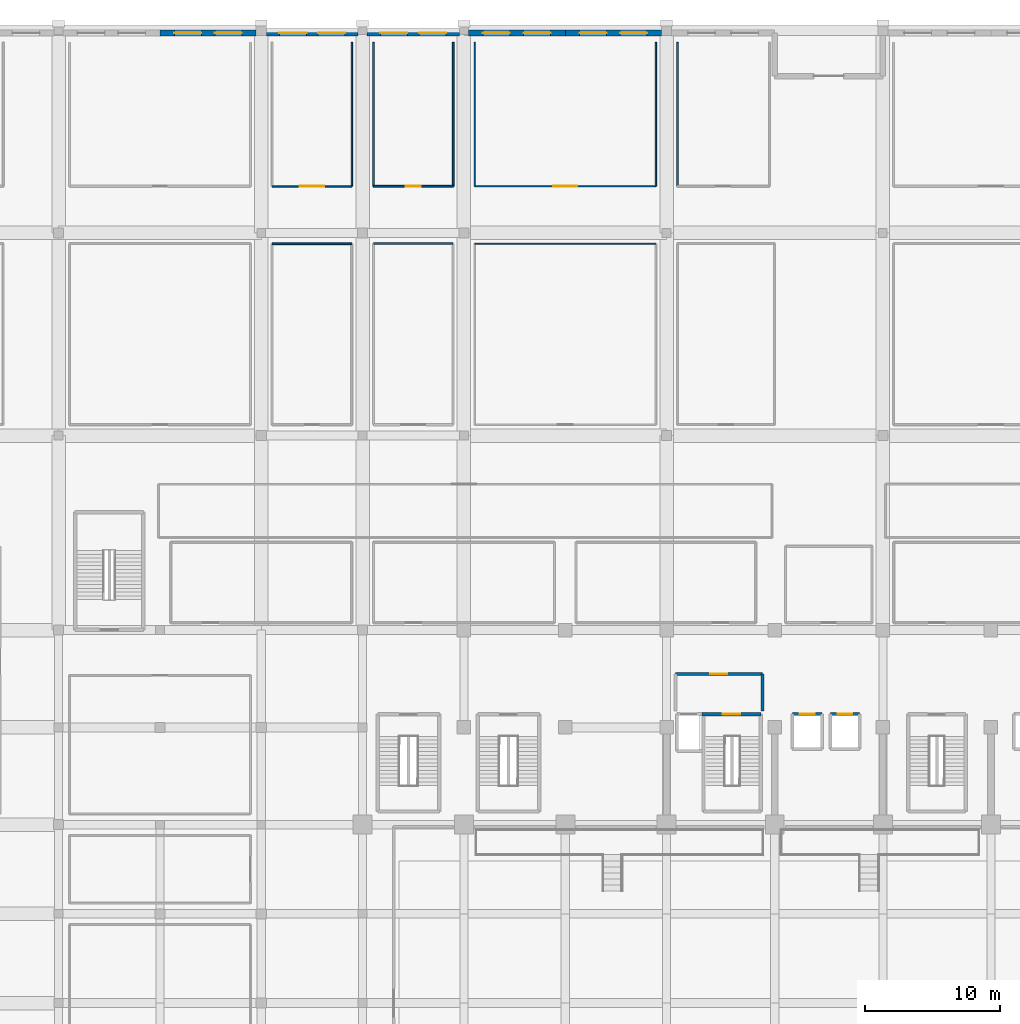
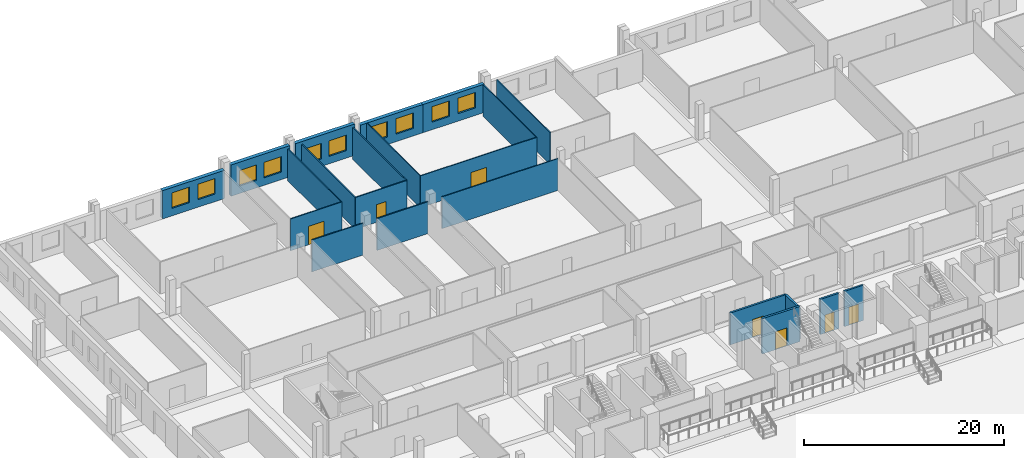
# One storey, part 18 of 33: 22 walls, 10 windows, 7 doors, 17 openings.
"""IFC4 building model written with IfcOpenShell, lengths in metres."""

from ifc_helpers import new_model, si_unit, direction, frame, frame_2d, origin, place, context, subcontext, project, spatial, rectangle, extrude, material, layer, layer_set, type_object, element, fill, save


model = new_model("IFC4")

# Units and contexts
model_context = context("Model", 3, precision=1e-05, world=origin(), true_north=direction((0.0, 1.0)))
body_context = subcontext(model_context, "Body", "Model", "MODEL_VIEW")
ifc_project = project(units=[si_unit("LENGTHUNIT", "METRE"), si_unit("AREAUNIT", "SQUARE_METRE"), si_unit("VOLUMEUNIT", "CUBIC_METRE"), si_unit("PLANEANGLEUNIT", "RADIAN"), si_unit("MASSUNIT", "GRAM", prefix="KILO")], contexts=[model_context])

# Site, building, storey
site_placement = place(None, origin())
site = spatial("IfcSite", under=ifc_project, at=site_placement, CompositionType="ELEMENT")
building_placement = place(site_placement, origin())
building = spatial("IfcBuilding", under=site, at=building_placement, Name="Akrevak Sports Hall", CompositionType="ELEMENT")
storey_placement = place(building_placement, origin())
storey = spatial("IfcBuildingStorey", under=building, at=storey_placement, Name="L00", CompositionType="ELEMENT", Elevation=0.0)

# Wall, openings, windows
ifc_material_1 = material(Name="Limestone Ashlar", Category="stone")
ifc_layer_1 = layer(ifc_material_1, 0.090087890625, Name="Limestone Ashlar")
ifc_material_2 = material(Name="Mineral Wool Thermal Insulation", Category="insulation")
ifc_layer_2 = layer(ifc_material_2, 0.110107421875, Name="Mineral Wool Thermal Insulation")
ifc_material_3 = material(Name="Concrete C40/50", Category="concrete")
ifc_layer_3 = layer(ifc_material_3, 0.219970703125, Name="Concrete C40/50")
ifc_layer_set_1 = layer_set([ifc_layer_1, ifc_layer_2, ifc_layer_3], Name="Limestone Ashlar / Mineral Wool Thermal Insulation / Concrete C40/50")
wall_type_1 = type_object("IfcWallType", Name="ARC-WL-EXT-420", PredefinedType="SOLIDWALL", material=ifc_layer_set_1)
wall_1_placement = place(storey_placement, frame((29.625, 113.7900390625, 0.0), z_axis=(0.0, 0.0, 1.0), x_axis=(-1.0, 0.0, 0.0)))
wall_1 = element("IfcWall", 1, at=wall_1_placement, inside=storey, type_object=wall_type_1, Name="North Concourse Stone Wall L00-N04", PredefinedType="SOLIDWALL", context=body_context, shape_type="SweptSolid", body=[
    extrude(rectangle(XDim=7.125, YDim=0.419921875, at=frame_2d((3.5625, 0.0))), origin(), (0.0, 0.0, 1.0), 3.449951171875),
])
opening_1_placement = place(wall_1_placement, frame((4.05859375, 0.0, 0.919921875)))
opening_1 = element("IfcOpeningElement", 2, at=opening_1_placement, cuts=wall_1, Name="Opening WN-28", PredefinedType="OPENING", context=body_context, shape_type="SweptSolid", body=[
    extrude(rectangle(XDim=2.0, YDim=1.889892578125, at=frame_2d((1.0, 0.94482421875))), frame((0.0, 0.221923828125, 0.0), z_axis=(0.0, -1.0, 0.0), x_axis=(1.0, 0.0, 0.0)), (0.0, 0.0, 1.0), 0.44384765625),
])
opening_2_placement = place(wall_1_placement, frame((1.06640625, 0.0, 0.919921875)))
opening_2 = element("IfcOpeningElement", 3, at=opening_2_placement, cuts=wall_1, Name="Opening WN-28", PredefinedType="OPENING", context=body_context, shape_type="SweptSolid", body=[
    extrude(rectangle(XDim=2.0, YDim=1.889892578125, at=frame_2d((1.0, 0.94482421875))), frame((0.0, 0.221923828125, 0.0), z_axis=(0.0, -1.0, 0.0), x_axis=(1.0, 0.0, 0.0)), (0.0, 0.0, 1.0), 0.44384765625),
])
ifc_material_4 = material(Name="Thermally Broken Bronze Frame & Double Low-E Glass", Category="glass")
window_type = type_object("IfcWindowType", Name="ARC-WIN-SZ-2000x1890", PartitioningType="SINGLE_PANEL", PredefinedType="WINDOW", material=ifc_material_4)
window_1_placement = place(opening_1_placement, origin())
window_1 = element("IfcWindow", 4, at=window_1_placement, inside=storey, type_object=window_type, Name="Beaux-Arts Facade Window WIN-L00-N04-1", OverallHeight=1.889892578125, OverallWidth=2.0, PartitioningType="SINGLE_PANEL", PredefinedType="WINDOW", context=body_context, shape_type="SweptSolid", body=[
    extrude(rectangle(XDim=2.0, YDim=1.889892578125, at=frame_2d((1.0, 0.94482421875))), frame((0.0, 0.030029296875, 0.0), z_axis=(0.0, -1.0, 0.0), x_axis=(1.0, 0.0, 0.0)), (0.0, 0.0, 1.0), 0.06005859375),
])
fill(opening_1, window_1)
window_2_placement = place(opening_2_placement, origin())
window_2 = element("IfcWindow", 5, at=window_2_placement, inside=storey, type_object=window_type, Name="Beaux-Arts Facade Window WIN-L00-N04-2", OverallHeight=1.889892578125, OverallWidth=2.0, PartitioningType="SINGLE_PANEL", PredefinedType="WINDOW", context=body_context, shape_type="SweptSolid", body=[
    extrude(rectangle(XDim=2.0, YDim=1.889892578125, at=frame_2d((1.0, 0.94482421875))), frame((0.0, 0.030029296875, 0.0), z_axis=(0.0, -1.0, 0.0), x_axis=(1.0, 0.0, 0.0)), (0.0, 0.0, 1.0), 0.06005859375),
])
fill(opening_2, window_2)

wall_2_placement = place(storey_placement, frame((37.175048828125, 113.7900390625, 0.0), z_axis=(0.0, 0.0, 1.0), x_axis=(-1.0, 0.0, 0.0)))
wall_2 = element("IfcWall", 6, at=wall_2_placement, inside=storey, type_object=wall_type_1, Name="North Concourse Stone Wall L00-N05", PredefinedType="SOLIDWALL", context=body_context, shape_type="SweptSolid", body=[
    extrude(rectangle(XDim=6.800048828125, YDim=0.419921875, at=frame_2d((3.39990234375, 0.0))), origin(), (0.0, 0.0, 1.0), 3.820068359375),
])
opening_3_placement = place(wall_2_placement, frame((3.827880859375, 0.0, 0.919921875)))
opening_3 = element("IfcOpeningElement", 7, at=opening_3_placement, cuts=wall_2, Name="Opening WN-28", PredefinedType="OPENING", context=body_context, shape_type="SweptSolid", body=[
    extrude(rectangle(XDim=2.0, YDim=1.889892578125, at=frame_2d((1.0, 0.94482421875))), frame((0.0, 0.221923828125, 0.0), z_axis=(0.0, -1.0, 0.0), x_axis=(1.0, 0.0, 0.0)), (0.0, 0.0, 1.0), 0.44384765625),
])
opening_4_placement = place(wall_2_placement, frame((0.971923828125, 0.0, 0.919921875)))
opening_4 = element("IfcOpeningElement", 8, at=opening_4_placement, cuts=wall_2, Name="Opening WN-28", PredefinedType="OPENING", context=body_context, shape_type="SweptSolid", body=[
    extrude(rectangle(XDim=2.0, YDim=1.889892578125, at=frame_2d((1.0, 0.94482421875))), frame((0.0, 0.221923828125, 0.0), z_axis=(0.0, -1.0, 0.0), x_axis=(1.0, 0.0, 0.0)), (0.0, 0.0, 1.0), 0.44384765625),
])
window_3_placement = place(opening_3_placement, origin())
window_3 = element("IfcWindow", 9, at=window_3_placement, inside=storey, type_object=window_type, Name="Beaux-Arts Facade Window WIN-L00-N05-1", OverallHeight=1.889892578125, OverallWidth=2.0, PartitioningType="SINGLE_PANEL", PredefinedType="WINDOW", context=body_context, shape_type="SweptSolid", body=[
    extrude(rectangle(XDim=2.0, YDim=1.889892578125, at=frame_2d((1.0, 0.94482421875))), frame((0.0, 0.030029296875, 0.0), z_axis=(0.0, -1.0, 0.0), x_axis=(1.0, 0.0, 0.0)), (0.0, 0.0, 1.0), 0.06005859375),
])
fill(opening_3, window_3)
window_4_placement = place(opening_4_placement, origin())
window_4 = element("IfcWindow", 10, at=window_4_placement, inside=storey, type_object=window_type, Name="Beaux-Arts Facade Window WIN-L00-N05-2", OverallHeight=1.889892578125, OverallWidth=2.0, PartitioningType="SINGLE_PANEL", PredefinedType="WINDOW", context=body_context, shape_type="SweptSolid", body=[
    extrude(rectangle(XDim=2.0, YDim=1.889892578125, at=frame_2d((1.0, 0.94482421875))), frame((0.0, 0.030029296875, 0.0), z_axis=(0.0, -1.0, 0.0), x_axis=(1.0, 0.0, 0.0)), (0.0, 0.0, 1.0), 0.06005859375),
])
fill(opening_4, window_4)

wall_3_placement = place(storey_placement, frame((44.675048828125, 113.7900390625, 0.0), z_axis=(0.0, 0.0, 1.0), x_axis=(-1.0, 0.0, 0.0)))
wall_3 = element("IfcWall", 11, at=wall_3_placement, inside=storey, type_object=wall_type_1, Name="North Concourse Stone Wall L00-N06", PredefinedType="SOLIDWALL", context=body_context, shape_type="SweptSolid", body=[
    extrude(rectangle(XDim=6.85009765625, YDim=0.419921875, at=frame_2d((3.425048828125, 0.0))), origin(), (0.0, 0.0, 1.0), 3.820068359375),
])
opening_5_placement = place(wall_3_placement, frame((3.863525390625, 0.0, 0.919921875)))
opening_5 = element("IfcOpeningElement", 12, at=opening_5_placement, cuts=wall_3, Name="Opening WN-28", PredefinedType="OPENING", context=body_context, shape_type="SweptSolid", body=[
    extrude(rectangle(XDim=2.0, YDim=1.889892578125, at=frame_2d((1.0, 0.94482421875))), frame((0.0, 0.221923828125, 0.0), z_axis=(0.0, -1.0, 0.0), x_axis=(1.0, 0.0, 0.0)), (0.0, 0.0, 1.0), 0.44384765625),
])
opening_6_placement = place(wall_3_placement, frame((0.986572265625, 0.0, 0.919921875)))
opening_6 = element("IfcOpeningElement", 13, at=opening_6_placement, cuts=wall_3, Name="Opening WN-28", PredefinedType="OPENING", context=body_context, shape_type="SweptSolid", body=[
    extrude(rectangle(XDim=2.0, YDim=1.889892578125, at=frame_2d((1.0, 0.94482421875))), frame((0.0, 0.221923828125, 0.0), z_axis=(0.0, -1.0, 0.0), x_axis=(1.0, 0.0, 0.0)), (0.0, 0.0, 1.0), 0.44384765625),
])
window_5_placement = place(opening_5_placement, origin())
window_5 = element("IfcWindow", 14, at=window_5_placement, inside=storey, type_object=window_type, Name="Beaux-Arts Facade Window WIN-L00-N06-1", OverallHeight=1.889892578125, OverallWidth=2.0, PartitioningType="SINGLE_PANEL", PredefinedType="WINDOW", context=body_context, shape_type="SweptSolid", body=[
    extrude(rectangle(XDim=2.0, YDim=1.889892578125, at=frame_2d((1.0, 0.94482421875))), frame((0.0, 0.030029296875, 0.0), z_axis=(0.0, -1.0, 0.0), x_axis=(1.0, 0.0, 0.0)), (0.0, 0.0, 1.0), 0.06005859375),
])
fill(opening_5, window_5)
window_6_placement = place(opening_6_placement, origin())
window_6 = element("IfcWindow", 15, at=window_6_placement, inside=storey, type_object=window_type, Name="Beaux-Arts Facade Window WIN-L00-N06-2", OverallHeight=1.889892578125, OverallWidth=2.0, PartitioningType="SINGLE_PANEL", PredefinedType="WINDOW", context=body_context, shape_type="SweptSolid", body=[
    extrude(rectangle(XDim=2.0, YDim=1.889892578125, at=frame_2d((1.0, 0.94482421875))), frame((0.0, 0.030029296875, 0.0), z_axis=(0.0, -1.0, 0.0), x_axis=(1.0, 0.0, 0.0)), (0.0, 0.0, 1.0), 0.06005859375),
])
fill(opening_6, window_6)

wall_4_placement = place(storey_placement, frame((52.5, 113.7900390625, 0.0), z_axis=(0.0, 0.0, 1.0), x_axis=(-1.0, 0.0, 0.0)))
wall_4 = element("IfcWall", 16, at=wall_4_placement, inside=storey, type_object=wall_type_1, Name="North Concourse Stone Wall L00-N07", PredefinedType="SOLIDWALL", context=body_context, shape_type="SweptSolid", body=[
    extrude(rectangle(XDim=7.175048828125, YDim=0.419921875, at=frame_2d((3.58740234375, 0.0))), origin(), (0.0, 0.0, 1.0), 3.449951171875),
])
opening_7_placement = place(wall_4_placement, frame((4.09423828125, 0.0, 0.919921875)))
opening_7 = element("IfcOpeningElement", 17, at=opening_7_placement, cuts=wall_4, Name="Opening WN-28", PredefinedType="OPENING", context=body_context, shape_type="SweptSolid", body=[
    extrude(rectangle(XDim=2.0, YDim=1.889892578125, at=frame_2d((1.0, 0.94482421875))), frame((0.0, 0.221923828125, 0.0), z_axis=(0.0, -1.0, 0.0), x_axis=(1.0, 0.0, 0.0)), (0.0, 0.0, 1.0), 0.44384765625),
])
opening_8_placement = place(wall_4_placement, frame((1.080810546875, 0.0, 0.919921875)))
opening_8 = element("IfcOpeningElement", 18, at=opening_8_placement, cuts=wall_4, Name="Opening WN-28", PredefinedType="OPENING", context=body_context, shape_type="SweptSolid", body=[
    extrude(rectangle(XDim=2.0, YDim=1.889892578125, at=frame_2d((1.0, 0.94482421875))), frame((0.0, 0.221923828125, 0.0), z_axis=(0.0, -1.0, 0.0), x_axis=(1.0, 0.0, 0.0)), (0.0, 0.0, 1.0), 0.44384765625),
])
window_7_placement = place(opening_7_placement, origin())
window_7 = element("IfcWindow", 19, at=window_7_placement, inside=storey, type_object=window_type, Name="Beaux-Arts Facade Window WIN-L00-N07-1", OverallHeight=1.889892578125, OverallWidth=2.0, PartitioningType="SINGLE_PANEL", PredefinedType="WINDOW", context=body_context, shape_type="SweptSolid", body=[
    extrude(rectangle(XDim=2.0, YDim=1.889892578125, at=frame_2d((1.0, 0.94482421875))), frame((0.0, 0.030029296875, 0.0), z_axis=(0.0, -1.0, 0.0), x_axis=(1.0, 0.0, 0.0)), (0.0, 0.0, 1.0), 0.06005859375),
])
fill(opening_7, window_7)
window_8_placement = place(opening_8_placement, origin())
window_8 = element("IfcWindow", 20, at=window_8_placement, inside=storey, type_object=window_type, Name="Beaux-Arts Facade Window WIN-L00-N07-2", OverallHeight=1.889892578125, OverallWidth=2.0, PartitioningType="SINGLE_PANEL", PredefinedType="WINDOW", context=body_context, shape_type="SweptSolid", body=[
    extrude(rectangle(XDim=2.0, YDim=1.889892578125, at=frame_2d((1.0, 0.94482421875))), frame((0.0, 0.030029296875, 0.0), z_axis=(0.0, -1.0, 0.0), x_axis=(1.0, 0.0, 0.0)), (0.0, 0.0, 1.0), 0.06005859375),
])
fill(opening_8, window_8)

wall_5_placement = place(storey_placement, frame((59.625, 113.7900390625, 0.0), z_axis=(0.0, 0.0, 1.0), x_axis=(-1.0, 0.0, 0.0)))
wall_5 = element("IfcWall", 21, at=wall_5_placement, inside=storey, type_object=wall_type_1, Name="North Concourse Stone Wall L00-N08", PredefinedType="SOLIDWALL", context=body_context, shape_type="SweptSolid", body=[
    extrude(rectangle(XDim=7.125, YDim=0.419921875, at=frame_2d((3.5625, 0.0))), origin(), (0.0, 0.0, 1.0), 3.449951171875),
])
opening_9_placement = place(wall_5_placement, frame((4.058837890625, 0.0, 0.919921875)))
opening_9 = element("IfcOpeningElement", 22, at=opening_9_placement, cuts=wall_5, Name="Opening WN-28", PredefinedType="OPENING", context=body_context, shape_type="SweptSolid", body=[
    extrude(rectangle(XDim=2.0, YDim=1.889892578125, at=frame_2d((1.0, 0.94482421875))), frame((0.0, 0.221923828125, 0.0), z_axis=(0.0, -1.0, 0.0), x_axis=(1.0, 0.0, 0.0)), (0.0, 0.0, 1.0), 0.44384765625),
])
opening_10_placement = place(wall_5_placement, frame((1.066162109375, 0.0, 0.919921875)))
opening_10 = element("IfcOpeningElement", 23, at=opening_10_placement, cuts=wall_5, Name="Opening WN-28", PredefinedType="OPENING", context=body_context, shape_type="SweptSolid", body=[
    extrude(rectangle(XDim=2.0, YDim=1.889892578125, at=frame_2d((1.0, 0.94482421875))), frame((0.0, 0.221923828125, 0.0), z_axis=(0.0, -1.0, 0.0), x_axis=(1.0, 0.0, 0.0)), (0.0, 0.0, 1.0), 0.44384765625),
])
window_9_placement = place(opening_9_placement, origin())
window_9 = element("IfcWindow", 24, at=window_9_placement, inside=storey, type_object=window_type, Name="Beaux-Arts Facade Window WIN-L00-N08-1", OverallHeight=1.889892578125, OverallWidth=2.0, PartitioningType="SINGLE_PANEL", PredefinedType="WINDOW", context=body_context, shape_type="SweptSolid", body=[
    extrude(rectangle(XDim=2.0, YDim=1.889892578125, at=frame_2d((1.0, 0.94482421875))), frame((0.0, 0.030029296875, 0.0), z_axis=(0.0, -1.0, 0.0), x_axis=(1.0, 0.0, 0.0)), (0.0, 0.0, 1.0), 0.06005859375),
])
fill(opening_9, window_9)
window_10_placement = place(opening_10_placement, origin())
window_10 = element("IfcWindow", 25, at=window_10_placement, inside=storey, type_object=window_type, Name="Beaux-Arts Facade Window WIN-L00-N08-2", OverallHeight=1.889892578125, OverallWidth=2.0, PartitioningType="SINGLE_PANEL", PredefinedType="WINDOW", context=body_context, shape_type="SweptSolid", body=[
    extrude(rectangle(XDim=2.0, YDim=1.889892578125, at=frame_2d((1.0, 0.94482421875))), frame((0.0, 0.030029296875, 0.0), z_axis=(0.0, -1.0, 0.0), x_axis=(1.0, 0.0, 0.0)), (0.0, 0.0, 1.0), 0.06005859375),
])
fill(opening_10, window_10)

# Wall
ifc_material_5 = material(Name="Sanitary Cubicle Partition", Category="gypsum")
ifc_layer_4 = layer(ifc_material_5, 0.10009765625, Name="Sanitary Cubicle Partition")
ifc_layer_set_2 = layer_set([ifc_layer_4], Name="Sanitary Cubicle Partition")
wall_type_2 = type_object("IfcWallType", Name="ARC-WL-PRT-100", PredefinedType="PARTITIONING", material=ifc_layer_set_2)
wall_6_placement = place(storey_placement, frame((45.800048828125, 98.199951171875, 0.0), z_axis=(0.0, 0.0, 1.0), x_axis=(1.0, 0.0, 0.0)))
element("IfcWall", 26, at=wall_6_placement, inside=storey, type_object=wall_type_2, Name="Interior Partition Sports Federation Training Office L00-5 (N)", PredefinedType="PARTITIONING", context=body_context, shape_type="SweptSolid", body=[
    extrude(rectangle(XDim=13.39990234375, YDim=0.10009765625, at=frame_2d((6.699951171875, 0.0))), origin(), (0.0, 0.0, 1.0), 3.8798828125),
])

# Wall, opening, door
wall_7_placement = place(storey_placement, frame((45.800048828125, 102.449951171875, 0.0), z_axis=(0.0, 0.0, 1.0), x_axis=(1.0, 0.0, 0.0)))
wall_7 = element("IfcWall", 27, at=wall_7_placement, inside=storey, type_object=wall_type_2, Name="Interior Partition Competition Equipment Storage L00-5 (S)", PredefinedType="PARTITIONING", context=body_context, shape_type="SweptSolid", body=[
    extrude(rectangle(XDim=13.39990234375, YDim=0.10009765625, at=frame_2d((6.699951171875, 0.0))), origin(), (0.0, 0.0, 1.0), 3.8798828125),
])
opening_11_placement = place(wall_7_placement, frame((5.800048828125, 0.0, 0.0)))
opening_11 = element("IfcOpeningElement", 28, at=opening_11_placement, cuts=wall_7, Name="Opening ID-02", PredefinedType="OPENING", context=body_context, shape_type="SweptSolid", body=[
    extrude(rectangle(XDim=1.800048828125, YDim=2.25, at=frame_2d((0.89990234375, 1.125))), frame((0.0, 0.06201171875, 0.0), z_axis=(0.0, -1.0, 0.0), x_axis=(1.0, 0.0, 0.0)), (0.0, 0.0, 1.0), 0.1240234375),
])
ifc_material_6 = material(Name="Hardwood Oak & Safety Glass", Category="wood")
door_type_1 = type_object("IfcDoorType", Name="ARC-DR-HALL-180x225", OperationType="DOUBLE_DOOR_SINGLE_SWING", PredefinedType="DOOR", material=ifc_material_6)
door_1_placement = place(opening_11_placement, origin())
door_1 = element("IfcDoor", 29, at=door_1_placement, inside=storey, type_object=door_type_1, Name="Door to Competition Equipment Storage L00-5", OperationType="DOUBLE_DOOR_SINGLE_SWING", OverallHeight=2.25, OverallWidth=1.800048828125, PredefinedType="DOOR", context=body_context, shape_type="SweptSolid", body=[
    extrude(rectangle(XDim=1.800048828125, YDim=2.25, at=frame_2d((0.89990234375, 1.125))), frame((0.0, 0.02490234375, 0.0), z_axis=(0.0, -1.0, 0.0), x_axis=(1.0, 0.0, 0.0)), (0.0, 0.0, 1.0), 0.050048828125),
])
fill(opening_11, door_1)

# Walls
for number, where, z_axis, x_axis, name in (
    (30, (45.800048828125, 102.449951171875, 0.0), (0.0, 0.0, 1.0), (0.0, 1.0, 0.0), "Interior Partition Competition Equipment Storage L00-5 (W)"),
    (31, (59.199951171875, 102.449951171875, 0.0), (0.0, 0.0, 1.0), (0.0, 1.0, 0.0), "Interior Partition Competition Equipment Storage L00-5 (E)"),
):
    element("IfcWall", number, at=place(storey_placement, frame(where, z_axis=z_axis, x_axis=x_axis)), inside=storey, type_object=wall_type_2, Name=name, PredefinedType="PARTITIONING", context=body_context, shape_type="SweptSolid", body=[
        extrude(rectangle(XDim=10.650146484375, YDim=0.10009765625, at=frame_2d((5.3251953125, 0.0))), origin(), (0.0, 0.0, 1.0), 3.8798828125),
    ])

# Wall, opening, door
ifc_material_7 = material(Name="Lightweight Office Partition", Category="gypsum")
ifc_layer_5 = layer(ifc_material_7, 0.110107421875, Name="Lightweight Office Partition")
ifc_layer_set_3 = layer_set([ifc_layer_5], Name="Lightweight Office Partition")
wall_type_3 = type_object("IfcWallType", Name="ARC-WL-PRT-110", PredefinedType="PARTITIONING", material=ifc_layer_set_3)
wall_8_placement = place(storey_placement, frame((30.800048828125, 102.449951171875, 0.0), z_axis=(0.0, 0.0, 1.0), x_axis=(1.0, 0.0, 0.0)))
wall_8 = element("IfcWall", 32, at=wall_8_placement, inside=storey, type_object=wall_type_3, Name="Interior Partition Competition Equipment Storage L00-3 (S)", PredefinedType="PARTITIONING", context=body_context, shape_type="SweptSolid", body=[
    extrude(rectangle(XDim=5.89990234375, YDim=0.110107421875, at=frame_2d((2.949951171875, 0.0))), origin(), (0.0, 0.0, 1.0), 3.8798828125),
])
opening_12_placement = place(wall_8_placement, frame((2.050048828125, 0.0, 0.0)))
opening_12 = element("IfcOpeningElement", 33, at=opening_12_placement, cuts=wall_8, Name="Opening ID-02", PredefinedType="OPENING", context=body_context, shape_type="SweptSolid", body=[
    extrude(rectangle(XDim=1.800048828125, YDim=2.25, at=frame_2d((0.89990234375, 1.125))), frame((0.0, 0.06689453125, 0.0), z_axis=(0.0, -1.0, 0.0), x_axis=(1.0, 0.0, 0.0)), (0.0, 0.0, 1.0), 0.134033203125),
])
door_2_placement = place(opening_12_placement, origin())
door_2 = element("IfcDoor", 34, at=door_2_placement, inside=storey, type_object=door_type_1, Name="Door to Competition Equipment Storage L00-3", OperationType="DOUBLE_DOOR_SINGLE_SWING", OverallHeight=2.25, OverallWidth=1.800048828125, PredefinedType="DOOR", context=body_context, shape_type="SweptSolid", body=[
    extrude(rectangle(XDim=1.800048828125, YDim=2.25, at=frame_2d((0.89990234375, 1.125))), frame((0.0, 0.02490234375, 0.0), z_axis=(0.0, -1.0, 0.0), x_axis=(1.0, 0.0, 0.0)), (0.0, 0.0, 1.0), 0.050048828125),
])
fill(opening_12, door_2)

# Walls
wall_9_placement = place(storey_placement, frame((36.699951171875, 102.449951171875, 0.0), z_axis=(0.0, 0.0, 1.0), x_axis=(0.0, 1.0, 0.0)))
element("IfcWall", 35, at=wall_9_placement, inside=storey, type_object=wall_type_3, Name="Interior Partition Competition Equipment Storage L00-3 (E)", PredefinedType="PARTITIONING", context=body_context, shape_type="SweptSolid", body=[
    extrude(rectangle(XDim=10.650146484375, YDim=0.110107421875, at=frame_2d((5.3251953125, 0.0))), origin(), (0.0, 0.0, 1.0), 3.8798828125),
])
ifc_material_8 = material(Name="Standard Metal Stud Partition", Category="gypsum")
ifc_layer_6 = layer(ifc_material_8, 0.1201171875, Name="Standard Metal Stud Partition")
ifc_layer_set_4 = layer_set([ifc_layer_6], Name="Standard Metal Stud Partition")
wall_type_4 = type_object("IfcWallType", Name="ARC-WL-PRT-120", PredefinedType="PARTITIONING", material=ifc_layer_set_4)
wall_10_placement = place(storey_placement, frame((60.800048828125, 102.449951171875, 0.0), z_axis=(0.0, 0.0, 1.0), x_axis=(0.0, 1.0, 0.0)))
element("IfcWall", 36, at=wall_10_placement, inside=storey, type_object=wall_type_4, Name="Interior Partition Federation Officiating & Records Office L00-6 (W)", PredefinedType="PARTITIONING", context=body_context, shape_type="SweptSolid", body=[
    extrude(rectangle(XDim=10.650146484375, YDim=0.1201171875, at=frame_2d((5.3251953125, 0.0))), origin(), (0.0, 0.0, 1.0), 3.8798828125),
])
ifc_material_9 = material(Name="Acoustic Metal Stud Partition", Category="gypsum")
ifc_layer_7 = layer(ifc_material_9, 0.1298828125, Name="Acoustic Metal Stud Partition")
ifc_layer_set_5 = layer_set([ifc_layer_7], Name="Acoustic Metal Stud Partition")
wall_type_5 = type_object("IfcWallType", Name="ARC-WL-PRT-130", PredefinedType="PARTITIONING", material=ifc_layer_set_5)
wall_11_placement = place(storey_placement, frame((30.800048828125, 98.199951171875, 0.0), z_axis=(0.0, 0.0, 1.0), x_axis=(1.0, 0.0, 0.0)))
element("IfcWall", 37, at=wall_11_placement, inside=storey, type_object=wall_type_5, Name="Interior Partition Sports Clinic Recovery & Physiotherapy Room L00-3 (N)", PredefinedType="PARTITIONING", context=body_context, shape_type="SweptSolid", body=[
    extrude(rectangle(XDim=5.89990234375, YDim=0.1298828125, at=frame_2d((2.949951171875, 0.0))), origin(), (0.0, 0.0, 1.0), 3.8798828125),
])

# Wall, opening, door
wall_12_placement = place(storey_placement, frame((38.300048828125, 102.449951171875, 0.0), z_axis=(0.0, 0.0, 1.0), x_axis=(1.0, 0.0, 0.0)))
wall_12 = element("IfcWall", 38, at=wall_12_placement, inside=storey, type_object=wall_type_5, Name="Interior Partition Federation Officiating & Records Office L00-4 (S)", PredefinedType="PARTITIONING", context=body_context, shape_type="SweptSolid", body=[
    extrude(rectangle(XDim=5.89990234375, YDim=0.1298828125, at=frame_2d((2.949951171875, 0.0))), origin(), (0.0, 0.0, 1.0), 3.8798828125),
])
opening_13_placement = place(wall_12_placement, frame((2.39990234375, 0.0, 0.0)))
opening_13 = element("IfcOpeningElement", 39, at=opening_13_placement, cuts=wall_12, Name="Opening ID-04", PredefinedType="OPENING", context=body_context, shape_type="SweptSolid", body=[
    extrude(rectangle(XDim=1.10009765625, YDim=2.14990234375, at=frame_2d((0.550048828125, 1.074951171875))), frame((0.0, 0.076904296875, 0.0), z_axis=(0.0, -1.0, 0.0), x_axis=(1.0, 0.0, 0.0)), (0.0, 0.0, 1.0), 0.15380859375),
])
ifc_material_10 = material(Name="Hardwood Oak Acoustic Leaf", Category="wood")
door_type_2 = type_object("IfcDoorType", Name="ARC-DR-OFF-110x215", OperationType="NOTDEFINED", PredefinedType="DOOR", material=ifc_material_10)
door_3_placement = place(opening_13_placement, frame((1.10009765625, 0.0, 0.0), z_axis=(0.0, 0.0, 1.0), x_axis=(-1.0, 0.0, 0.0)))
door_3 = element("IfcDoor", 40, at=door_3_placement, inside=storey, type_object=door_type_2, Name="Door to Federation Officiating & Records Office L00-4", OperationType="SINGLE_SWING_RIGHT", OverallHeight=2.14990234375, OverallWidth=1.10009765625, PredefinedType="DOOR", context=body_context, shape_type="SweptSolid", body=[
    extrude(rectangle(XDim=1.10009765625, YDim=2.14990234375, at=frame_2d((0.550048828125, 1.074951171875))), frame((0.0, 0.02490234375, 0.0), z_axis=(0.0, -1.0, 0.0), x_axis=(1.0, 0.0, 0.0)), (0.0, 0.0, 1.0), 0.050048828125),
])
fill(opening_13, door_3)

# Walls
for number, where, z_axis, x_axis, name in (
    (41, (38.300048828125, 102.449951171875, 0.0), (0.0, 0.0, 1.0), (0.0, 1.0, 0.0), "Interior Partition Federation Officiating & Records Office L00-4 (W)"),
    (42, (44.199951171875, 102.449951171875, 0.0), (0.0, 0.0, 1.0), (0.0, 1.0, 0.0), "Interior Partition Federation Officiating & Records Office L00-4 (E)"),
):
    element("IfcWall", number, at=place(storey_placement, frame(where, z_axis=z_axis, x_axis=x_axis)), inside=storey, type_object=wall_type_5, Name=name, PredefinedType="PARTITIONING", context=body_context, shape_type="SweptSolid", body=[
        extrude(rectangle(XDim=10.650146484375, YDim=0.1298828125, at=frame_2d((5.3251953125, 0.0))), origin(), (0.0, 0.0, 1.0), 3.8798828125),
    ])
ifc_material_11 = material(Name="Double Stud Acoustic Gypsum Partition", Category="gypsum")
ifc_layer_8 = layer(ifc_material_11, 0.14990234375, Name="Double Stud Acoustic Gypsum Partition")
ifc_layer_set_6 = layer_set([ifc_layer_8], Name="Double Stud Acoustic Gypsum Partition")
wall_type_6 = type_object("IfcWallType", Name="ARC-WL-PRT-150", PredefinedType="PARTITIONING", material=ifc_layer_set_6)
wall_13_placement = place(storey_placement, frame((38.300048828125, 98.199951171875, 0.0), z_axis=(0.0, 0.0, 1.0), x_axis=(1.0, 0.0, 0.0)))
element("IfcWall", 43, at=wall_13_placement, inside=storey, type_object=wall_type_6, Name="Interior Partition Athletic Gear & Equipment Storage L00-4 (N)", PredefinedType="PARTITIONING", context=body_context, shape_type="SweptSolid", body=[
    extrude(rectangle(XDim=5.89990234375, YDim=0.14990234375, at=frame_2d((2.949951171875, 0.0))), origin(), (0.0, 0.0, 1.0), 3.8798828125),
])

# Wall, opening, door
ifc_layer_9 = layer(ifc_material_3, 0.219970703125, Name="Concrete C40/50")
ifc_layer_set_7 = layer_set([ifc_layer_9], Name="Concrete C40/50")
wall_type_7 = type_object("IfcWallType", Name="ARC-WL-PRT-220", PredefinedType="PARTITIONING", material=ifc_layer_set_7)
wall_14_placement = place(storey_placement, frame((60.64990234375, 66.35009765625, 0.0), z_axis=(0.0, 0.0, 1.0), x_axis=(1.0, 0.0, 0.0)))
wall_14 = element("IfcWall", 44, at=wall_14_placement, inside=storey, type_object=wall_type_7, Name="Interior Partition Firefighting Lobby West L00 (N)", PredefinedType="PARTITIONING", context=body_context, shape_type="SweptSolid", body=[
    extrude(rectangle(XDim=6.4501953125, YDim=0.219970703125, at=frame_2d((3.22509765625, 0.0))), origin(), (0.0, 0.0, 1.0), 3.8798828125),
])
opening_14_placement = place(wall_14_placement, frame((2.574951171875, 0.0, 0.0)))
opening_14 = element("IfcOpeningElement", 45, at=opening_14_placement, cuts=wall_14, Name="Opening FD-01", PredefinedType="OPENING", context=body_context, shape_type="SweptSolid", body=[
    extrude(rectangle(XDim=1.25, YDim=2.199951171875, at=frame_2d((0.625, 1.10009765625))), frame((0.0, 0.1220703125, 0.0), z_axis=(0.0, -1.0, 0.0), x_axis=(1.0, 0.0, 0.0)), (0.0, 0.0, 1.0), 0.243896484375),
])
ifc_material_12 = material(Name="Fire-Rated Galvanized Door Steel", Category="steel")
door_type_3 = type_object("IfcDoorType", Name="ARC-DR-FFL-125x220", OperationType="NOTDEFINED", PredefinedType="DOOR", material=ifc_material_12)
door_4_placement = place(opening_14_placement, origin())
door_4 = element("IfcDoor", 46, at=door_4_placement, inside=storey, type_object=door_type_3, Name="Door to Firefighting Lobby West L00", OperationType="SINGLE_SWING_LEFT", OverallHeight=2.199951171875, OverallWidth=1.25, PredefinedType="DOOR", context=body_context, shape_type="SweptSolid", body=[
    extrude(rectangle(XDim=1.25, YDim=2.199951171875, at=frame_2d((0.625, 1.10009765625))), frame((0.0, 0.02490234375, 0.0), z_axis=(0.0, -1.0, 0.0), x_axis=(1.0, 0.0, 0.0)), (0.0, 0.0, 1.0), 0.050048828125),
])
fill(opening_14, door_4)

# Wall
wall_15_placement = place(storey_placement, frame((67.10009765625, 63.60009765625, 0.0), z_axis=(0.0, 0.0, 1.0), x_axis=(0.0, 1.0, 0.0)))
element("IfcWall", 47, at=wall_15_placement, inside=storey, type_object=wall_type_7, Name="Interior Partition Firefighting Lobby West L00 (E)", PredefinedType="PARTITIONING", context=body_context, shape_type="SweptSolid", body=[
    extrude(rectangle(XDim=2.75, YDim=0.219970703125, at=frame_2d((1.375, 0.0))), origin(), (0.0, 0.0, 1.0), 3.8798828125),
])

# Wall, opening, door
ifc_material_13 = material(Name="Concrete C50/60", Category="concrete")
ifc_layer_10 = layer(ifc_material_13, 0.219970703125, Name="Concrete C50/60")
ifc_layer_set_8 = layer_set([ifc_layer_10], Name="Concrete C50/60")
wall_type_8 = type_object("IfcWallType", Name="ARC-WL-SHAFT-220", PredefinedType="SHEAR", material=ifc_layer_set_8)
wall_16_placement = place(storey_placement, frame((71.489990234375, 63.389892578125, 0.0), z_axis=(0.0, 0.0, 1.0), x_axis=(-1.0, 0.0, 0.0)))
wall_16 = element("IfcWall", 48, at=wall_16_placement, inside=storey, type_object=wall_type_8, Name="Lift Shaft LF-P1 Wall N (L00)", PredefinedType="SHEAR", context=body_context, shape_type="SweptSolid", body=[
    extrude(rectangle(XDim=2.179931640625, YDim=0.219970703125, at=frame_2d((1.08984375, 0.0))), origin(), (0.0, 0.0, 1.0), 4.300048828125),
])
opening_15_placement = place(wall_16_placement, frame((0.5400390625, 0.0, 0.0)))
opening_15 = element("IfcOpeningElement", 49, at=opening_15_placement, cuts=wall_16, Name="Opening LD-01", PredefinedType="OPENING", context=body_context, shape_type="SweptSolid", body=[
    extrude(rectangle(XDim=1.10009765625, YDim=2.199951171875, at=frame_2d((0.550048828125, 1.10009765625))), frame((0.0, 0.1220703125, 0.0), z_axis=(0.0, -1.0, 0.0), x_axis=(1.0, 0.0, 0.0)), (0.0, 0.0, 1.0), 0.243896484375),
])
ifc_material_14 = material(Name="Brushed Stainless Steel 304", Category="steel")
door_type_4 = type_object("IfcDoorType", Name="ARC-DR-LD-110x220", OperationType="SLIDING_TO_LEFT", PredefinedType="DOOR", material=ifc_material_14)
door_5_placement = place(opening_15_placement, origin())
door_5 = element("IfcDoor", 50, at=door_5_placement, inside=storey, type_object=door_type_4, Name="Lift LF-P1 Sliding Landing Door (L00)", OperationType="SLIDING_TO_LEFT", OverallHeight=2.199951171875, OverallWidth=1.10009765625, PredefinedType="DOOR", context=body_context, shape_type="SweptSolid", body=[
    extrude(rectangle(XDim=1.10009765625, YDim=2.199951171875, at=frame_2d((0.550048828125, 1.10009765625))), frame((0.0, 0.02490234375, 0.0), z_axis=(0.0, -1.0, 0.0), x_axis=(1.0, 0.0, 0.0)), (0.0, 0.0, 1.0), 0.050048828125),
])
fill(opening_15, door_5)

wall_17_placement = place(storey_placement, frame((74.2900390625, 63.389892578125, 0.0), z_axis=(0.0, 0.0, 1.0), x_axis=(-1.0, 0.0, 0.0)))
wall_17 = element("IfcWall", 51, at=wall_17_placement, inside=storey, type_object=wall_type_8, Name="Lift Shaft LF-P2 Wall N (L00)", PredefinedType="SHEAR", context=body_context, shape_type="SweptSolid", body=[
    extrude(rectangle(XDim=2.179931640625, YDim=0.219970703125, at=frame_2d((1.08984375, 0.0))), origin(), (0.0, 0.0, 1.0), 4.300048828125),
])
opening_16_placement = place(wall_17_placement, frame((0.5400390625, 0.0, 0.0)))
opening_16 = element("IfcOpeningElement", 52, at=opening_16_placement, cuts=wall_17, Name="Opening LD-01", PredefinedType="OPENING", context=body_context, shape_type="SweptSolid", body=[
    extrude(rectangle(XDim=1.10009765625, YDim=2.199951171875, at=frame_2d((0.550048828125, 1.10009765625))), frame((0.0, 0.1220703125, 0.0), z_axis=(0.0, -1.0, 0.0), x_axis=(1.0, 0.0, 0.0)), (0.0, 0.0, 1.0), 0.243896484375),
])
door_6_placement = place(opening_16_placement, origin())
door_6 = element("IfcDoor", 53, at=door_6_placement, inside=storey, type_object=door_type_4, Name="Lift LF-P2 Sliding Landing Door (L00)", OperationType="SLIDING_TO_LEFT", OverallHeight=2.199951171875, OverallWidth=1.10009765625, PredefinedType="DOOR", context=body_context, shape_type="SweptSolid", body=[
    extrude(rectangle(XDim=1.10009765625, YDim=2.199951171875, at=frame_2d((0.550048828125, 1.10009765625))), frame((0.0, 0.02490234375, 0.0), z_axis=(0.0, -1.0, 0.0), x_axis=(1.0, 0.0, 0.0)), (0.0, 0.0, 1.0), 0.050048828125),
])
fill(opening_16, door_6)

ifc_layer_11 = layer(ifc_material_13, 0.25, Name="Concrete C50/60")
ifc_layer_set_9 = layer_set([ifc_layer_11], Name="Concrete C50/60")
wall_type_9 = type_object("IfcWallType", Name="STR-WL-STAIR-250", PredefinedType="SHEAR", material=ifc_layer_set_9)
wall_18_placement = place(storey_placement, frame((66.97509765625, 63.375, 0.0), z_axis=(0.0, 0.0, 1.0), x_axis=(-1.0, 0.0, 0.0)))
wall_18 = element("IfcWall", 54, at=wall_18_placement, inside=storey, type_object=wall_type_9, Name="Stair Core ST1 Shear Wall N (L00)", PredefinedType="SHEAR", context=body_context, shape_type="SweptSolid", body=[
    extrude(rectangle(XDim=4.375, YDim=0.25, at=frame_2d((2.1875, 0.0))), origin(), (0.0, 0.0, 1.0), 4.300048828125),
])
opening_17_placement = place(wall_18_placement, frame((1.53759765625, 0.0, 0.0)))
opening_17 = element("IfcOpeningElement", 55, at=opening_17_placement, cuts=wall_18, Name="Opening SD-01", PredefinedType="OPENING", context=body_context, shape_type="SweptSolid", body=[
    extrude(rectangle(XDim=1.300048828125, YDim=2.199951171875, at=frame_2d((0.64990234375, 1.10009765625))), frame((0.0, 0.136962890625, 0.0), z_axis=(0.0, -1.0, 0.0), x_axis=(1.0, 0.0, 0.0)), (0.0, 0.0, 1.0), 0.27392578125),
])
door_type_5 = type_object("IfcDoorType", Name="ARC-DR-STAIR-130x220", OperationType="NOTDEFINED", PredefinedType="DOOR", material=ifc_material_12)
door_7_placement = place(opening_17_placement, frame((1.300048828125, 0.0, 0.0), z_axis=(0.0, 0.0, 1.0), x_axis=(-1.0, 0.0, 0.0)))
door_7 = element("IfcDoor", 56, at=door_7_placement, inside=storey, type_object=door_type_5, Name="Exit Stair ST1 Door (L00)", OperationType="SINGLE_SWING_RIGHT", OverallHeight=2.199951171875, OverallWidth=1.300048828125, PredefinedType="DOOR", context=body_context, shape_type="SweptSolid", body=[
    extrude(rectangle(XDim=1.300048828125, YDim=2.199951171875, at=frame_2d((0.64990234375, 1.10009765625))), frame((0.0, 0.02490234375, 0.0), z_axis=(0.0, -1.0, 0.0), x_axis=(1.0, 0.0, 0.0)), (0.0, 0.0, 1.0), 0.050048828125),
])
fill(opening_17, door_7)

save(model, "model.ifc")
